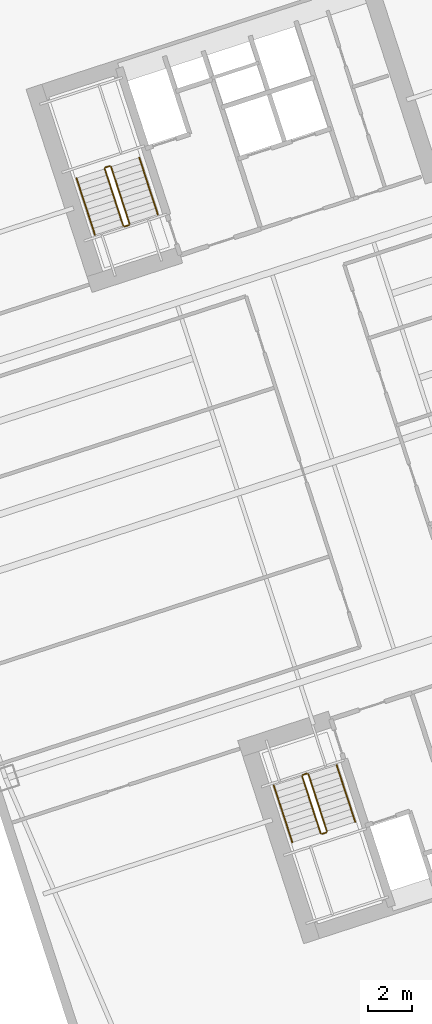
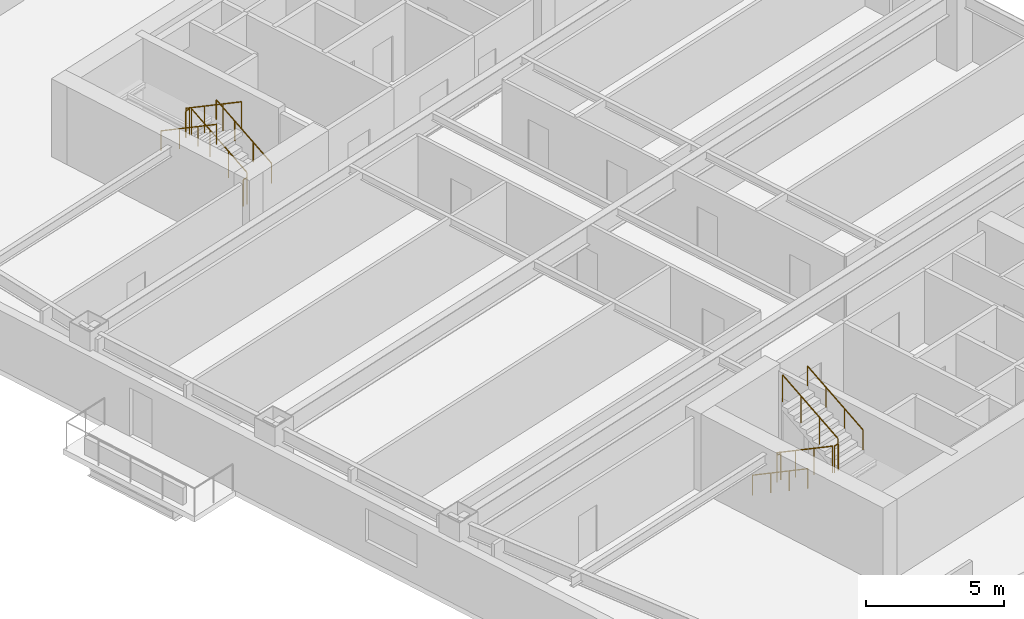
# One storey, part 14 of 15: 12 railings.
"""IFC4 building model written with IfcOpenShell, lengths in metres."""

from ifc_helpers import new_model, si_unit, direction, frame, origin, origin_2d, place, context, subcontext, project, spatial, circle, extrude, material, type_object, element, save


model = new_model("IFC4")

# Units and contexts
model_context = context("Model", 3, precision=1e-05, world=origin(), true_north=direction((0.0, 1.0)))
body_context = subcontext(model_context, "Body", "Model", "MODEL_VIEW")
ifc_project = project(units=[si_unit("LENGTHUNIT", "METRE"), si_unit("AREAUNIT", "SQUARE_METRE"), si_unit("VOLUMEUNIT", "CUBIC_METRE"), si_unit("PLANEANGLEUNIT", "RADIAN"), si_unit("MASSUNIT", "GRAM", prefix="KILO")], contexts=[model_context])

# Site, building, storey
site_placement = place(None, origin())
site = spatial("IfcSite", under=ifc_project, at=site_placement, CompositionType="ELEMENT")
building_placement = place(site_placement, origin())
building = spatial("IfcBuilding", under=site, at=building_placement, Name="Qiaolan Cultural Towers", CompositionType="ELEMENT")
storey_placement = place(building_placement, frame((0.0, 0.0, 71.300048828125)))
storey = spatial("IfcBuildingStorey", under=building, at=storey_placement, Name="L17", CompositionType="ELEMENT", Elevation=71.300048828125)

# Railings
ifc_material_1 = material(Name="Galvanized Painted Steel Stair Guardrail", Category="steel")
railing_type_1 = type_object("IfcRailingType", Name="RL-STAIR-GRD", PredefinedType="GUARDRAIL", material=ifc_material_1)
railing_1_placement = place(storey_placement, frame((88.60205078125, 19.82421875, 0.17236328125)))
element("IfcRailing", 1, at=railing_1_placement, inside=storey, type_object=railing_type_1, Name="L17 ST-E1 stair guard 1", PredefinedType="GUARDRAIL", context=body_context, shape_type="SweptSolid", body=[
    extrude(circle(Radius=0.02392578125, at=origin_2d()), frame((0.0, 0.0, 1.17578125), z_axis=(0.267925668498, -0.824471088726, 0.498460891159), x_axis=(0.951043371037, 0.309057448393, 0.0)), (0.0, 0.0, 1.0), 3.114501953125),
    extrude(circle(Radius=0.02099609375, at=origin_2d()), origin(), (0.0, 0.0, 1.0), 1.15185546875),
    extrude(circle(Radius=0.02099609375, at=origin_2d()), frame((0.278076171875, -0.85595703125, 0.517578125)), (0.0, 0.0, 1.0), 1.15185546875),
    extrude(circle(Radius=0.02099609375, at=origin_2d()), frame((0.556396484375, -1.7119140625, 1.034912109375)), (0.0, 0.0, 1.0), 1.15185546875),
    extrude(circle(Radius=0.02099609375, at=origin_2d()), frame((0.83447265625, -2.56787109375, 1.552490234375)), (0.0, 0.0, 1.0), 1.15185546875),
])
railing_2_placement = place(storey_placement, frame((89.49951171875, 17.224365234375, 1.724853515625)))
element("IfcRailing", 2, at=railing_2_placement, inside=storey, type_object=railing_type_1, Name="L17 ST-E1 stair guard 2", PredefinedType="GUARDRAIL", context=body_context, shape_type="SweptSolid", body=[
    extrude(circle(Radius=0.02392578125, at=origin_2d()), frame((0.0, 0.0, 1.17578125), z_axis=(0.951096855055, 0.308892816854, 0.0), x_axis=(-0.308892816854, 0.951096855055, 0.0)), (0.0, 0.0, 1.0), 0.199951171875),
    extrude(circle(Radius=0.02099609375, at=origin_2d()), origin(), (0.0, 0.0, 1.0), 1.15185546875),
    extrude(circle(Radius=0.02099609375, at=origin_2d()), frame((0.190185546875, 0.061767578125, 0.0)), (0.0, 0.0, 1.0), 1.15185546875),
])
railing_3_placement = place(storey_placement, frame((89.721923828125, 17.34912109375, 1.8974609375)))
element("IfcRailing", 3, at=railing_3_placement, inside=storey, type_object=railing_type_1, Name="L17 ST-E1 stair guard 3", PredefinedType="GUARDRAIL", context=body_context, shape_type="SweptSolid", body=[
    extrude(circle(Radius=0.02392578125, at=origin_2d()), frame((0.0, 0.0, 1.17578125), z_axis=(-0.267925668498, 0.824471088726, 0.498460891159), x_axis=(-0.951043371037, -0.309057448393, 0.0)), (0.0, 0.0, 1.0), 3.114501953125),
    extrude(circle(Radius=0.02099609375, at=origin_2d()), origin(), (0.0, 0.0, 1.0), 1.15185546875),
    extrude(circle(Radius=0.02099609375, at=origin_2d()), frame((-0.278076171875, 0.85595703125, 0.517578125)), (0.0, 0.0, 1.0), 1.15185546875),
    extrude(circle(Radius=0.02099609375, at=origin_2d()), frame((-0.556396484375, 1.7119140625, 1.034912109375)), (0.0, 0.0, 1.0), 1.15185546875),
    extrude(circle(Radius=0.02099609375, at=origin_2d()), frame((-0.83447265625, 2.56787109375, 1.552490234375)), (0.0, 0.0, 1.0), 1.15185546875),
])
railing_4_placement = place(storey_placement, frame((88.63427734375, 19.88720703125, 0.0)))
element("IfcRailing", 4, at=railing_4_placement, inside=storey, type_object=railing_type_1, Name="L17 ST-E1 stair guard 4", PredefinedType="GUARDRAIL", context=body_context, shape_type="SweptSolid", body=[
    extrude(circle(Radius=0.02392578125, at=origin_2d()), frame((0.0, 0.0, 1.17578125), z_axis=(0.951096855055, 0.308892816854, 0.0), x_axis=(-0.308892816854, 0.951096855055, 0.0)), (0.0, 0.0, 1.0), 0.199951171875),
    extrude(circle(Radius=0.02099609375, at=origin_2d()), origin(), (0.0, 0.0, 1.0), 1.15185546875),
    extrude(circle(Radius=0.02099609375, at=origin_2d()), frame((0.190185546875, 0.061767578125, 0.0)), (0.0, 0.0, 1.0), 1.15185546875),
])
railing_5_placement = place(storey_placement, frame((80.822021484375, 44.739501953125, 0.17236328125)))
element("IfcRailing", 5, at=railing_5_placement, inside=storey, type_object=railing_type_1, Name="L17 ST-E2 stair guard 1", PredefinedType="GUARDRAIL", context=body_context, shape_type="SweptSolid", body=[
    extrude(circle(Radius=0.02392578125, at=origin_2d()), frame((0.0, 0.0, 1.17578125), z_axis=(-0.26785290645, 0.824488402118, 0.498471358535), x_axis=(-0.951069945308, -0.308975661068, 0.0)), (0.0, 0.0, 1.0), 3.114501953125),
    extrude(circle(Radius=0.02099609375, at=origin_2d()), origin(), (0.0, 0.0, 1.0), 1.15185546875),
    extrude(circle(Radius=0.02099609375, at=origin_2d()), frame((-0.278076171875, 0.85595703125, 0.517578125)), (0.0, 0.0, 1.0), 1.15185546875),
    extrude(circle(Radius=0.02099609375, at=origin_2d()), frame((-0.55615234375, 1.7119140625, 1.034912109375)), (0.0, 0.0, 1.0), 1.15185546875),
    extrude(circle(Radius=0.02099609375, at=origin_2d()), frame((-0.834228515625, 2.56787109375, 1.552490234375)), (0.0, 0.0, 1.0), 1.15185546875),
])
railing_6_placement = place(storey_placement, frame((79.9248046875, 47.33935546875, 1.724853515625)))
element("IfcRailing", 6, at=railing_6_placement, inside=storey, type_object=railing_type_1, Name="L17 ST-E2 stair guard 2", PredefinedType="GUARDRAIL", context=body_context, shape_type="SweptSolid", body=[
    extrude(circle(Radius=0.02392578125, at=origin_2d()), frame((0.0, 0.0, 1.17578125), z_axis=(-0.951096855055, -0.308892816854, 0.0), x_axis=(0.308892816854, -0.951096855055, 0.0)), (0.0, 0.0, 1.0), 0.199951171875),
    extrude(circle(Radius=0.02099609375, at=origin_2d()), origin(), (0.0, 0.0, 1.0), 1.15185546875),
    extrude(circle(Radius=0.02099609375, at=origin_2d()), frame((-0.190185546875, -0.061767578125, 0.0)), (0.0, 0.0, 1.0), 1.15185546875),
])
railing_7_placement = place(storey_placement, frame((79.702392578125, 47.214599609375, 1.8974609375)))
element("IfcRailing", 7, at=railing_7_placement, inside=storey, type_object=railing_type_1, Name="L17 ST-E2 stair guard 3", PredefinedType="GUARDRAIL", context=body_context, shape_type="SweptSolid", body=[
    extrude(circle(Radius=0.02392578125, at=origin_2d()), frame((0.0, 0.0, 1.17578125), z_axis=(0.267925668498, -0.824471088726, 0.498460891159), x_axis=(0.951043371037, 0.309057448393, 0.0)), (0.0, 0.0, 1.0), 3.114501953125),
    extrude(circle(Radius=0.02099609375, at=origin_2d()), origin(), (0.0, 0.0, 1.0), 1.15185546875),
    extrude(circle(Radius=0.02099609375, at=origin_2d()), frame((0.278076171875, -0.85595703125, 0.517578125)), (0.0, 0.0, 1.0), 1.15185546875),
    extrude(circle(Radius=0.02099609375, at=origin_2d()), frame((0.556396484375, -1.7119140625, 1.034912109375)), (0.0, 0.0, 1.0), 1.15185546875),
    extrude(circle(Radius=0.02099609375, at=origin_2d()), frame((0.83447265625, -2.56787109375, 1.552490234375)), (0.0, 0.0, 1.0), 1.15185546875),
])
railing_8_placement = place(storey_placement, frame((80.7900390625, 44.676513671875, 0.0)))
element("IfcRailing", 8, at=railing_8_placement, inside=storey, type_object=railing_type_1, Name="L17 ST-E2 stair guard 4", PredefinedType="GUARDRAIL", context=body_context, shape_type="SweptSolid", body=[
    extrude(circle(Radius=0.02392578125, at=origin_2d()), frame((0.0, 0.0, 1.17578125), z_axis=(-0.951096855055, -0.308892816854, 0.0), x_axis=(0.308892816854, -0.951096855055, 0.0)), (0.0, 0.0, 1.0), 0.199951171875),
    extrude(circle(Radius=0.02099609375, at=origin_2d()), origin(), (0.0, 0.0, 1.0), 1.15185546875),
    extrude(circle(Radius=0.02099609375, at=origin_2d()), frame((-0.190185546875, -0.061767578125, 0.0)), (0.0, 0.0, 1.0), 1.15185546875),
])
ifc_material_2 = material(Name="Stainless Steel S30408 Tubular Handrail", Category="steel")
railing_type_2 = type_object("IfcRailingType", Name="RL-STAIR-HR", PredefinedType="HANDRAIL", material=ifc_material_2)
railing_9_placement = place(storey_placement, frame((87.32763671875, 19.41015625, 0.17236328125)))
element("IfcRailing", 9, at=railing_9_placement, inside=storey, type_object=railing_type_2, Name="L17 ST-E1 stair handrail 1", PredefinedType="HANDRAIL", context=body_context, shape_type="SweptSolid", body=[
    extrude(circle(Radius=0.02392578125, at=origin_2d()), frame((0.0, 0.0, 0.8759765625), z_axis=(0.267925668498, -0.824471088726, 0.498460891159), x_axis=(0.951043371037, 0.309057448393, 0.0)), (0.0, 0.0, 1.0), 3.114501953125),
    extrude(circle(Radius=0.02099609375, at=origin_2d()), origin(), (0.0, 0.0, 1.0), 0.851806640625),
    extrude(circle(Radius=0.02099609375, at=origin_2d()), frame((0.278076171875, -0.85595703125, 0.517578125)), (0.0, 0.0, 1.0), 0.851806640625),
    extrude(circle(Radius=0.02099609375, at=origin_2d()), frame((0.556396484375, -1.7119140625, 1.034912109375)), (0.0, 0.0, 1.0), 0.851806640625),
    extrude(circle(Radius=0.02099609375, at=origin_2d()), frame((0.83447265625, -2.56787109375, 1.552490234375)), (0.0, 0.0, 1.0), 0.851806640625),
])
railing_10_placement = place(storey_placement, frame((90.996337890625, 17.76318359375, 1.8974609375)))
element("IfcRailing", 10, at=railing_10_placement, inside=storey, type_object=railing_type_2, Name="L17 ST-E1 stair handrail 2", PredefinedType="HANDRAIL", context=body_context, shape_type="SweptSolid", body=[
    extrude(circle(Radius=0.02392578125, at=origin_2d()), frame((0.0, 0.0, 0.8759765625), z_axis=(-0.267925668498, 0.824471088726, 0.498460891159), x_axis=(-0.951043371037, -0.309057448393, 0.0)), (0.0, 0.0, 1.0), 3.114501953125),
    extrude(circle(Radius=0.02099609375, at=origin_2d()), origin(), (0.0, 0.0, 1.0), 0.851806640625),
    extrude(circle(Radius=0.02099609375, at=origin_2d()), frame((-0.278076171875, 0.85595703125, 0.517578125)), (0.0, 0.0, 1.0), 0.851806640625),
    extrude(circle(Radius=0.02099609375, at=origin_2d()), frame((-0.556396484375, 1.7119140625, 1.034912109375)), (0.0, 0.0, 1.0), 0.851806640625),
    extrude(circle(Radius=0.02099609375, at=origin_2d()), frame((-0.83447265625, 2.56787109375, 1.552490234375)), (0.0, 0.0, 1.0), 0.851806640625),
])
railing_11_placement = place(storey_placement, frame((82.096435546875, 45.153564453125, 0.17236328125)))
element("IfcRailing", 11, at=railing_11_placement, inside=storey, type_object=railing_type_2, Name="L17 ST-E2 stair handrail 1", PredefinedType="HANDRAIL", context=body_context, shape_type="SweptSolid", body=[
    extrude(circle(Radius=0.02392578125, at=origin_2d()), frame((0.0, 0.0, 0.8759765625), z_axis=(-0.26785290645, 0.824488402118, 0.498471358535), x_axis=(-0.951069945308, -0.308975661068, 0.0)), (0.0, 0.0, 1.0), 3.114501953125),
    extrude(circle(Radius=0.02099609375, at=origin_2d()), origin(), (0.0, 0.0, 1.0), 0.851806640625),
    extrude(circle(Radius=0.02099609375, at=origin_2d()), frame((-0.278076171875, 0.85595703125, 0.517578125)), (0.0, 0.0, 1.0), 0.851806640625),
    extrude(circle(Radius=0.02099609375, at=origin_2d()), frame((-0.55615234375, 1.7119140625, 1.034912109375)), (0.0, 0.0, 1.0), 0.851806640625),
    extrude(circle(Radius=0.02099609375, at=origin_2d()), frame((-0.834228515625, 2.56787109375, 1.552490234375)), (0.0, 0.0, 1.0), 0.851806640625),
])
railing_12_placement = place(storey_placement, frame((78.427978515625, 46.800537109375, 1.8974609375)))
element("IfcRailing", 12, at=railing_12_placement, inside=storey, type_object=railing_type_2, Name="L17 ST-E2 stair handrail 2", PredefinedType="HANDRAIL", context=body_context, shape_type="SweptSolid", body=[
    extrude(circle(Radius=0.02392578125, at=origin_2d()), frame((0.0, 0.0, 0.8759765625), z_axis=(0.267925668498, -0.824471088726, 0.498460891159), x_axis=(0.951043371037, 0.309057448393, 0.0)), (0.0, 0.0, 1.0), 3.114501953125),
    extrude(circle(Radius=0.02099609375, at=origin_2d()), origin(), (0.0, 0.0, 1.0), 0.851806640625),
    extrude(circle(Radius=0.02099609375, at=origin_2d()), frame((0.278076171875, -0.85595703125, 0.517578125)), (0.0, 0.0, 1.0), 0.851806640625),
    extrude(circle(Radius=0.02099609375, at=origin_2d()), frame((0.556396484375, -1.7119140625, 1.034912109375)), (0.0, 0.0, 1.0), 0.851806640625),
    extrude(circle(Radius=0.02099609375, at=origin_2d()), frame((0.83447265625, -2.56787109375, 1.552490234375)), (0.0, 0.0, 1.0), 0.851806640625),
])

save(model, "model.ifc")
